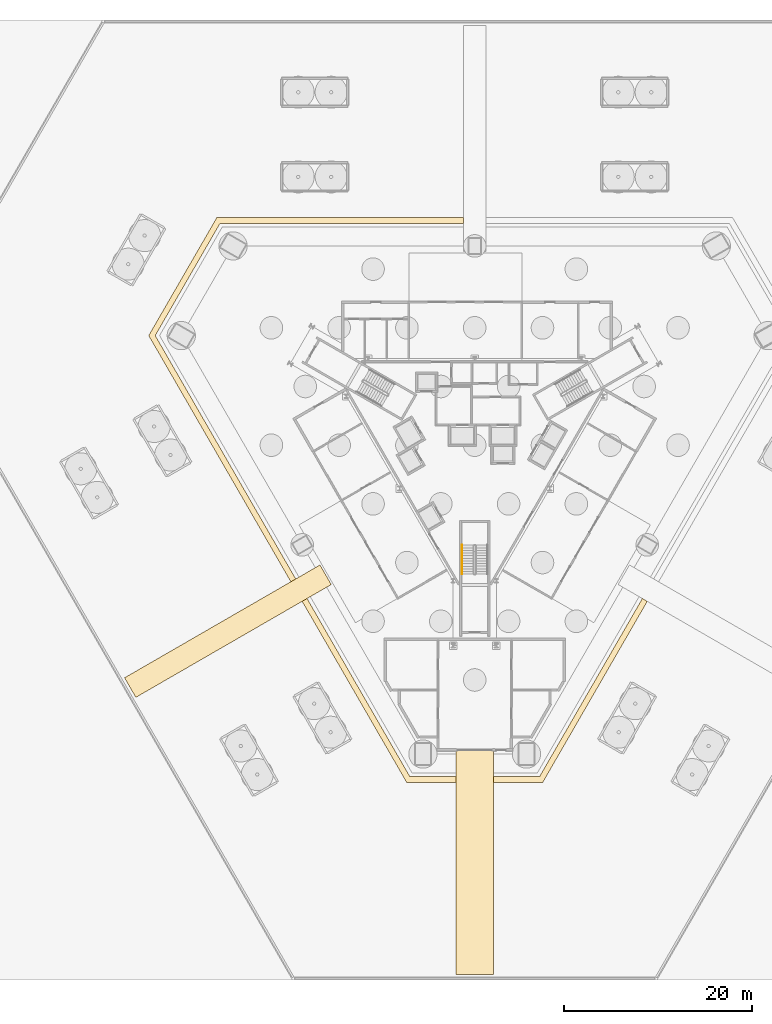
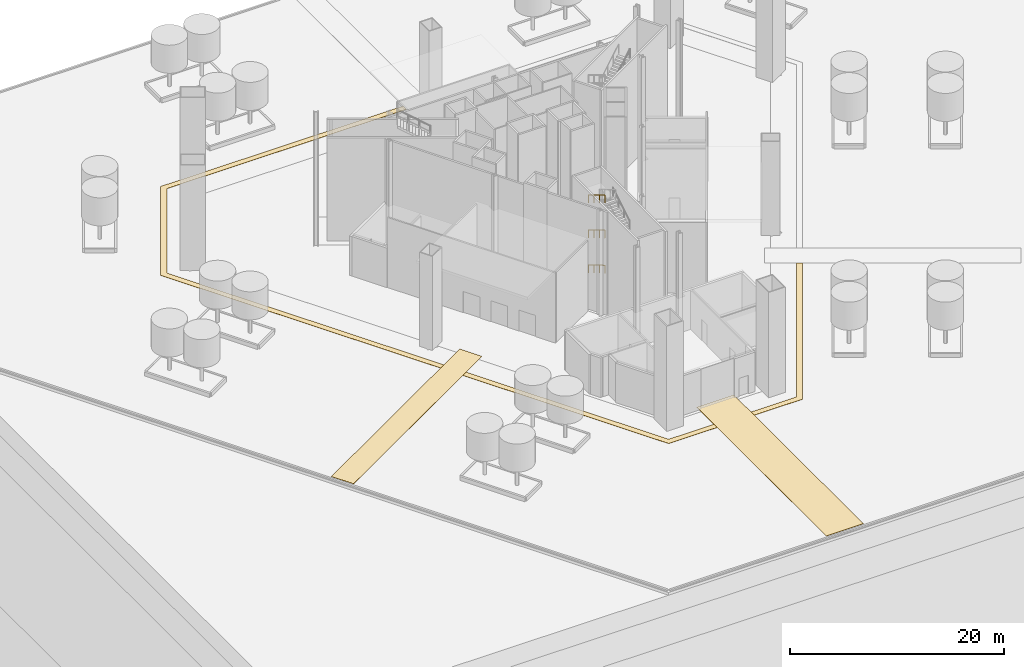
# One storey, part 14 of 22: 5 coverings, 3 railings.
"""IFC4 building model written with IfcOpenShell, lengths in metres."""

from ifc_helpers import new_model, si_unit, direction, frame, origin, origin_2d, place, context, subcontext, project, spatial, polyline, circle, outline, extrude, material, layer, layer_set, type_object, element, save


model = new_model("IFC4")

# Units and contexts
model_context = context("Model", 3, precision=1e-05, world=origin(), true_north=direction((0.0, 1.0)))
body_context = subcontext(model_context, "Body", "Model", "MODEL_VIEW")
ifc_project = project(units=[si_unit("LENGTHUNIT", "METRE"), si_unit("AREAUNIT", "SQUARE_METRE"), si_unit("VOLUMEUNIT", "CUBIC_METRE"), si_unit("PLANEANGLEUNIT", "RADIAN"), si_unit("MASSUNIT", "GRAM", prefix="KILO")], contexts=[model_context])

# Site, building, storey
site_placement = place(None, origin())
site = spatial("IfcSite", under=ifc_project, at=site_placement, CompositionType="ELEMENT")
building_placement = place(site_placement, origin())
building = spatial("IfcBuilding", under=site, at=building_placement, Name="Verrane Prism Tower", CompositionType="ELEMENT")
storey_placement = place(building_placement, origin())
storey = spatial("IfcBuildingStorey", under=building, at=storey_placement, Name="L00", CompositionType="ELEMENT", Elevation=0.0)

# Coverings
ifc_material_1 = material(Name="Dark granite paving", Category="masonry")
ifc_layer = layer(ifc_material_1, 0.02001953125)
ifc_layer_set = layer_set([ifc_layer], Name="PB-20 granite paving band")
covering_type = type_object("IfcCoveringType", Name="PB-20 granite paving band", PredefinedType="FLOORING", material=ifc_layer_set)
covering_1_placement = place(storey_placement, origin())
element("IfcCovering", 1, at=covering_1_placement, inside=storey, type_object=covering_type, Name="Paving band 1", PredefinedType="FLOORING", context=body_context, shape_type="SweptSolid", body=[
    extrude(outline(polyline([(2.0, -35.81396484375), (7.23193359375, -35.81396484375), (18.33203125, -16.587890625), (17.81201171875, -16.2880859375), (6.885986328125, -35.214111328125), (2.0, -35.214111328125), (2.0, -35.81396484375)])), origin(), (0.0, 0.0, 1.0), 0.02001953125),
])
covering_2_placement = place(storey_placement, origin())
element("IfcCovering", 2, at=covering_2_placement, inside=storey, type_object=covering_type, Name="Paving band 2", PredefinedType="FLOORING", context=body_context, shape_type="SweptSolid", body=[
    extrude(outline(polyline([(-7.23193359375, -35.81396484375), (-2.0, -35.81396484375), (-2.0, -35.214111328125), (-6.885986328125, -35.214111328125), (-17.81201171875, -16.2880859375), (-18.33203125, -16.587890625), (-7.23193359375, -35.81396484375)])), origin(), (0.0, 0.0, 1.0), 0.02001953125),
])
covering_3_placement = place(storey_placement, origin())
element("IfcCovering", 3, at=covering_3_placement, inside=storey, type_object=covering_type, Name="Paving band 3", PredefinedType="FLOORING", context=body_context, shape_type="SweptSolid", body=[
    extrude(outline(polyline([(-34.632080078125, 11.64404296875), (-19.531982421875, -14.510009765625), (-19.011962890625, -14.2099609375), (-33.93896484375, 11.64404296875), (-27.052978515625, 23.570068359375), (-1.199951171875, 23.570068359375), (-1.199951171875, 24.169921875), (-27.39990234375, 24.169921875), (-34.632080078125, 11.64404296875)])), origin(), (0.0, 0.0, 1.0), 0.02001953125),
])
covering_4_placement = place(storey_placement, origin())
element("IfcCovering", 4, at=covering_4_placement, inside=storey, type_object=covering_type, Name="Paving band 7", PredefinedType="FLOORING", context=body_context, shape_type="SweptSolid", body=[
    extrude(outline(polyline([(-15.239990234375, -14.802978515625), (-16.43994140625, -12.72509765625), (-37.198974609375, -24.7099609375), (-35.9990234375, -26.7880859375), (-15.239990234375, -14.802978515625)])), origin(), (0.0, 0.0, 1.0), 0.02001953125),
])
covering_5_placement = place(storey_placement, origin())
element("IfcCovering", 5, at=covering_5_placement, inside=storey, type_object=covering_type, Name="Paving band 8", PredefinedType="FLOORING", context=body_context, shape_type="SweptSolid", body=[
    extrude(outline(polyline([(-2.0, -32.0), (-2.0, -56.214111328125), (2.0, -56.214111328125), (2.0, -32.0), (-2.0, -32.0)])), origin(), (0.0, 0.0, 1.0), 0.02001953125),
])

# Railings
ifc_material_2 = material(Name="Steel A36 tube", Category="steel")
railing_type = type_object("IfcRailingType", Name="Stair handrail 900 steel tube", PredefinedType="HANDRAIL", material=ifc_material_2)
for number, where, name in (
    (6, (-1.35009765625, -10.6201171875, 2.166748046875), "Stair 3 handrail"),
    (7, (-1.35009765625, -10.6201171875, 6.166748046875), "Stair 3 handrail"),
    (8, (-1.35009765625, -10.6201171875, 10.166748046875), "Stair 3 handrail"),
):
    element("IfcRailing", number, at=place(storey_placement, frame(where)), inside=storey, type_object=railing_type, Name=name, PredefinedType="HANDRAIL", context=body_context, shape_type="SweptSolid", body=[
        extrude(circle(Radius=0.02392578125, at=origin_2d()), frame((0.0, 0.0, 0.8759765625), z_axis=(0.0, -0.859290745958, 0.51148745235), x_axis=(1.0, 0.0, 0.0)), (0.0, 0.0, 1.0), 3.584228515625),
        extrude(circle(Radius=0.02099609375, at=origin_2d()), origin(), (0.0, 0.0, 1.0), 0.851806640625),
        extrude(circle(Radius=0.02099609375, at=origin_2d()), frame((0.0, -1.026611328125, 0.611083984375)), (0.0, 0.0, 1.0), 0.851806640625),
        extrude(circle(Radius=0.02099609375, at=origin_2d()), frame((0.0, -2.05322265625, 1.22216796875)), (0.0, 0.0, 1.0), 0.851806640625),
        extrude(circle(Radius=0.02099609375, at=origin_2d()), frame((0.0, -3.079833984375, 1.833251953125)), (0.0, 0.0, 1.0), 0.851806640625),
    ])

save(model, "model.ifc")
